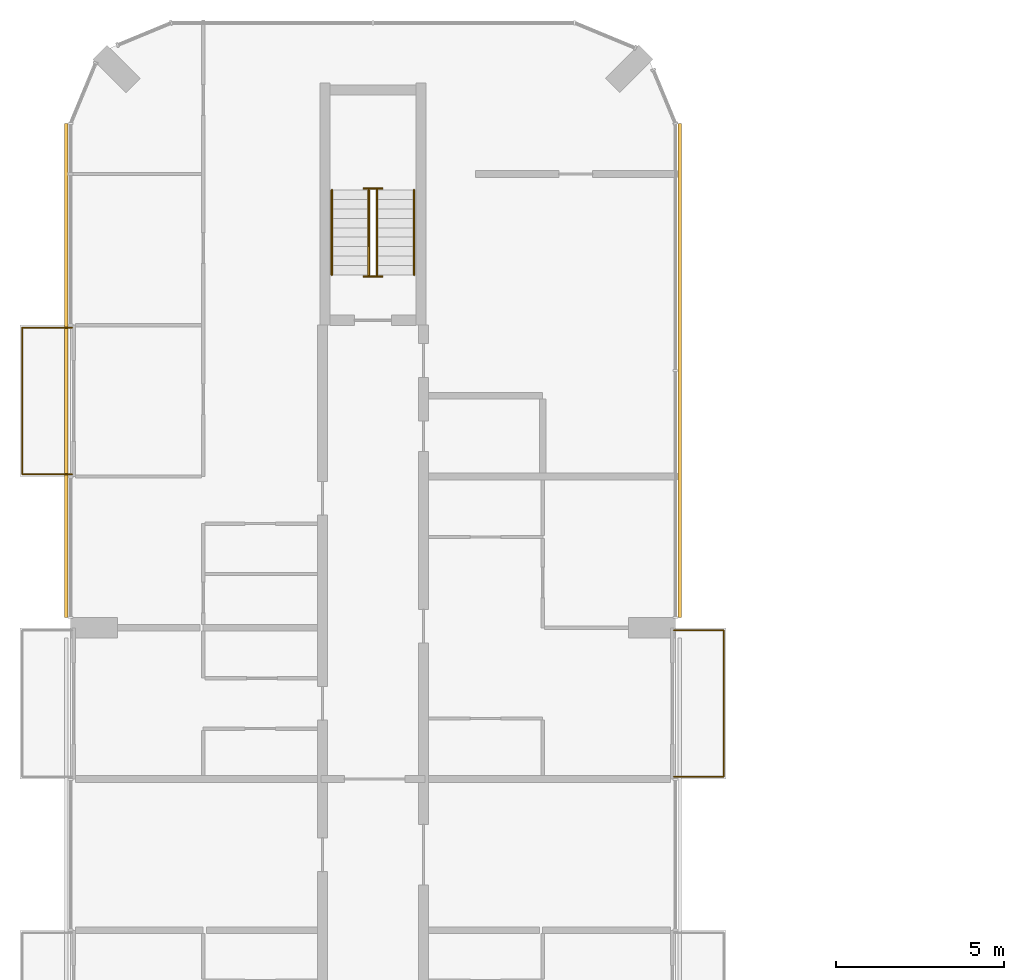
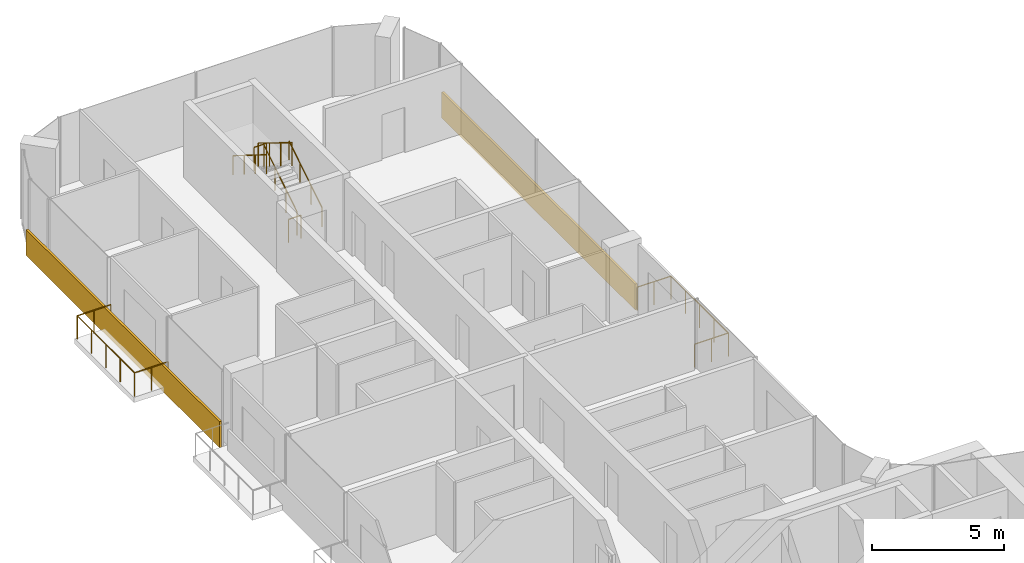
# One storey, part 16 of 16: 8 railings, 2 coverings.
"""IFC4 building model written with IfcOpenShell, lengths in metres."""

from ifc_helpers import new_model, si_unit, direction, frame, origin, origin_2d, place, context, subcontext, project, spatial, rectangle, circle, extrude, material, layer, layer_set, type_object, element, save


model = new_model("IFC4")

# Units and contexts
model_context = context("Model", 3, precision=1e-05, world=origin(), true_north=direction((0.0, 1.0)))
body_context = subcontext(model_context, "Body", "Model", "MODEL_VIEW")
ifc_project = project(units=[si_unit("LENGTHUNIT", "METRE"), si_unit("AREAUNIT", "SQUARE_METRE"), si_unit("VOLUMEUNIT", "CUBIC_METRE"), si_unit("PLANEANGLEUNIT", "RADIAN"), si_unit("MASSUNIT", "GRAM", prefix="KILO")], contexts=[model_context])

# Site, building, storey
site_placement = place(None, origin())
site = spatial("IfcSite", under=ifc_project, at=site_placement, CompositionType="ELEMENT")
building_placement = place(site_placement, origin())
building = spatial("IfcBuilding", under=site, at=building_placement, Name="Plateau Cross Towers", CompositionType="ELEMENT")
storey_placement = place(building_placement, frame((0.0, 0.0, 160.39990234375)))
storey = spatial("IfcBuildingStorey", under=building, at=storey_placement, Name="L41", CompositionType="ELEMENT", Elevation=160.39990234375)

# Railings
ifc_material_1 = material(Name="Stainless steel and toughened glass", Category="steel")
railing_type_1 = type_object("IfcRailingType", Name="Glass balustrade guard 1100", PredefinedType="GUARDRAIL", material=ifc_material_1)
railing_1_placement = place(storey_placement, frame((0.050048828125, 40.570068359375, 0.0)))
element("IfcRailing", 1, at=railing_1_placement, inside=storey, type_object=railing_type_1, Name="Guard guard1", PredefinedType="GUARDRAIL", context=body_context, shape_type="SweptSolid", body=[
    extrude(circle(Radius=0.02392578125, at=origin_2d()), frame((0.0, 0.0, 1.076171875), z_axis=(-1.0, 0.0, 0.0), x_axis=(0.0, -1.0, 0.0)), (0.0, 0.0, 1.0), 1.47998046875),
    extrude(circle(Radius=0.02392578125, at=origin_2d()), frame((-1.47998046875, 0.0, 1.076171875), z_axis=(0.0, 1.0, 0.0), x_axis=(-1.0, 0.0, 0.0)), (0.0, 0.0, 1.0), 4.35986328125),
    extrude(circle(Radius=0.02392578125, at=origin_2d()), frame((-1.47998046875, 4.35986328125, 1.076171875), z_axis=(1.0, 0.0, 0.0), x_axis=(0.0, 1.0, 0.0)), (0.0, 0.0, 1.0), 1.47998046875),
    extrude(circle(Radius=0.02099609375, at=origin_2d()), origin(), (0.0, 0.0, 1.0), 1.052001953125),
    extrude(circle(Radius=0.02099609375, at=origin_2d()), frame((-0.739990234375, 0.0, 0.0)), (0.0, 0.0, 1.0), 1.052001953125),
    extrude(circle(Radius=0.02099609375, at=origin_2d()), frame((-1.47998046875, 0.0, 0.0)), (0.0, 0.0, 1.0), 1.052001953125),
    extrude(circle(Radius=0.02099609375, at=origin_2d()), frame((-1.47998046875, 1.08984375, 0.0)), (0.0, 0.0, 1.0), 1.052001953125),
    extrude(circle(Radius=0.02099609375, at=origin_2d()), frame((-1.47998046875, 2.179931640625, 0.0)), (0.0, 0.0, 1.0), 1.052001953125),
    extrude(circle(Radius=0.02099609375, at=origin_2d()), frame((-1.47998046875, 3.27001953125, 0.0)), (0.0, 0.0, 1.0), 1.052001953125),
    extrude(circle(Radius=0.02099609375, at=origin_2d()), frame((-1.47998046875, 4.35986328125, 0.0)), (0.0, 0.0, 1.0), 1.052001953125),
    extrude(circle(Radius=0.02099609375, at=origin_2d()), frame((-0.739990234375, 4.35986328125, 0.0)), (0.0, 0.0, 1.0), 1.052001953125),
    extrude(circle(Radius=0.02099609375, at=origin_2d()), frame((0.0, 4.35986328125, 0.0)), (0.0, 0.0, 1.0), 1.052001953125),
])
railing_2_placement = place(storey_placement, frame((17.949951171875, 35.929931640625, 0.0)))
element("IfcRailing", 2, at=railing_2_placement, inside=storey, type_object=railing_type_1, Name="Guard guard1", PredefinedType="GUARDRAIL", context=body_context, shape_type="SweptSolid", body=[
    extrude(circle(Radius=0.02392578125, at=origin_2d()), frame((0.0, 0.0, 1.076171875), z_axis=(1.0, 0.0, 0.0), x_axis=(0.0, 1.0, 0.0)), (0.0, 0.0, 1.0), 1.47998046875),
    extrude(circle(Radius=0.02392578125, at=origin_2d()), frame((1.47998046875, 0.0, 1.076171875), z_axis=(0.0, -1.0, 0.0), x_axis=(1.0, 0.0, 0.0)), (0.0, 0.0, 1.0), 4.35986328125),
    extrude(circle(Radius=0.02392578125, at=origin_2d()), frame((1.47998046875, -4.35986328125, 1.076171875), z_axis=(-1.0, 0.0, 0.0), x_axis=(0.0, -1.0, 0.0)), (0.0, 0.0, 1.0), 1.47998046875),
    extrude(circle(Radius=0.02099609375, at=origin_2d()), origin(), (0.0, 0.0, 1.0), 1.052001953125),
    extrude(circle(Radius=0.02099609375, at=origin_2d()), frame((0.739990234375, 0.0, 0.0)), (0.0, 0.0, 1.0), 1.052001953125),
    extrude(circle(Radius=0.02099609375, at=origin_2d()), frame((1.47998046875, 0.0, 0.0)), (0.0, 0.0, 1.0), 1.052001953125),
    extrude(circle(Radius=0.02099609375, at=origin_2d()), frame((1.47998046875, -1.08984375, 0.0)), (0.0, 0.0, 1.0), 1.052001953125),
    extrude(circle(Radius=0.02099609375, at=origin_2d()), frame((1.47998046875, -2.179931640625, 0.0)), (0.0, 0.0, 1.0), 1.052001953125),
    extrude(circle(Radius=0.02099609375, at=origin_2d()), frame((1.47998046875, -3.27001953125, 0.0)), (0.0, 0.0, 1.0), 1.052001953125),
    extrude(circle(Radius=0.02099609375, at=origin_2d()), frame((1.47998046875, -4.35986328125, 0.0)), (0.0, 0.0, 1.0), 1.052001953125),
    extrude(circle(Radius=0.02099609375, at=origin_2d()), frame((0.739990234375, -4.35986328125, 0.0)), (0.0, 0.0, 1.0), 1.052001953125),
    extrude(circle(Radius=0.02099609375, at=origin_2d()), frame((0.0, -4.35986328125, 0.0)), (0.0, 0.0, 1.0), 1.052001953125),
])
railing_type_2 = type_object("IfcRailingType", Name="RL-GUARD-1100", PredefinedType="GUARDRAIL", material=ifc_material_1)
railing_3_placement = place(storey_placement, frame((9.125, 46.5, 0.175048828125)))
element("IfcRailing", 3, at=railing_3_placement, inside=storey, type_object=railing_type_2, Name="L41 ES-N stair guard 1", PredefinedType="GUARDRAIL", context=body_context, shape_type="SweptSolid", body=[
    extrude(circle(Radius=0.02392578125, at=origin_2d()), frame((0.0, 0.0, 1.076171875), z_axis=(0.0, 0.848007534815, 0.529984170421), x_axis=(-1.0, 0.0, 0.0)), (0.0, 0.0, 1.0), 2.9716796875),
    extrude(circle(Radius=0.02099609375, at=origin_2d()), origin(), (0.0, 0.0, 1.0), 1.052001953125),
    extrude(circle(Radius=0.02099609375, at=origin_2d()), frame((0.0, 0.840087890625, 0.52490234375)), (0.0, 0.0, 1.0), 1.052001953125),
    extrude(circle(Radius=0.02099609375, at=origin_2d()), frame((0.0, 1.679931640625, 1.050048828125)), (0.0, 0.0, 1.0), 1.052001953125),
    extrude(circle(Radius=0.02099609375, at=origin_2d()), frame((0.0, 2.52001953125, 1.574951171875)), (0.0, 0.0, 1.0), 1.052001953125),
])
railing_4_placement = place(storey_placement, frame((9.27490234375, 49.070068359375, 1.75)))
element("IfcRailing", 4, at=railing_4_placement, inside=storey, type_object=railing_type_2, Name="L41 ES-N stair guard 2", PredefinedType="GUARDRAIL", context=body_context, shape_type="SweptSolid", body=[
    extrude(circle(Radius=0.02392578125, at=origin_2d()), frame((0.0, 0.0, 1.076171875), z_axis=(-1.0, 0.0, 0.0), x_axis=(0.0, -1.0, 0.0)), (0.0, 0.0, 1.0), 0.5498046875),
    extrude(circle(Radius=0.02099609375, at=origin_2d()), origin(), (0.0, 0.0, 1.0), 1.052001953125),
    extrude(circle(Radius=0.02099609375, at=origin_2d()), frame((-0.5498046875, 0.0, 0.0)), (0.0, 0.0, 1.0), 1.052001953125),
])
railing_5_placement = place(storey_placement, frame((8.875, 49.02001953125, 1.925048828125)))
element("IfcRailing", 5, at=railing_5_placement, inside=storey, type_object=railing_type_2, Name="L41 ES-N stair guard 3", PredefinedType="GUARDRAIL", context=body_context, shape_type="SweptSolid", body=[
    extrude(circle(Radius=0.02392578125, at=origin_2d()), frame((0.0, 0.0, 1.076171875), z_axis=(0.0, -0.852638500773, 0.522501279423), x_axis=(1.0, 0.0, 0.0)), (0.0, 0.0, 1.0), 3.01416015625),
    extrude(circle(Radius=0.02099609375, at=origin_2d()), origin(), (0.0, 0.0, 1.0), 1.052001953125),
    extrude(circle(Radius=0.02099609375, at=origin_2d()), frame((0.0, -0.856689453125, 0.52490234375)), (0.0, 0.0, 1.0), 1.052001953125),
    extrude(circle(Radius=0.02099609375, at=origin_2d()), frame((0.0, -1.71337890625, 1.050048828125)), (0.0, 0.0, 1.0), 1.052001953125),
    extrude(circle(Radius=0.02099609375, at=origin_2d()), frame((0.0, -2.570068359375, 1.574951171875)), (0.0, 0.0, 1.0), 1.052001953125),
])
railing_6_placement = place(storey_placement, frame((9.27490234375, 46.449951171875, 0.0)))
element("IfcRailing", 6, at=railing_6_placement, inside=storey, type_object=railing_type_2, Name="L41 ES-N stair guard 4", PredefinedType="GUARDRAIL", context=body_context, shape_type="SweptSolid", body=[
    extrude(circle(Radius=0.02392578125, at=origin_2d()), frame((0.0, 0.0, 1.076171875), z_axis=(-1.0, 0.0, 0.0), x_axis=(0.0, -1.0, 0.0)), (0.0, 0.0, 1.0), 0.5498046875),
    extrude(circle(Radius=0.02099609375, at=origin_2d()), origin(), (0.0, 0.0, 1.0), 1.052001953125),
    extrude(circle(Radius=0.02099609375, at=origin_2d()), frame((-0.5498046875, 0.0, 0.0)), (0.0, 0.0, 1.0), 1.052001953125),
])
ifc_material_2 = material(Name="Black anodised aluminium", Category="aluminium")
railing_type_3 = type_object("IfcRailingType", Name="RL-HANDRAIL-900", PredefinedType="HANDRAIL", material=ifc_material_2)
railing_7_placement = place(storey_placement, frame((10.22509765625, 46.5, 0.175048828125)))
element("IfcRailing", 7, at=railing_7_placement, inside=storey, type_object=railing_type_3, Name="L41 ES-N stair handrail 1", PredefinedType="HANDRAIL", context=body_context, shape_type="SweptSolid", body=[
    extrude(circle(Radius=0.02392578125, at=origin_2d()), frame((0.0, 0.0, 0.8759765625), z_axis=(0.0, 0.848007534815, 0.529984170421), x_axis=(-1.0, 0.0, 0.0)), (0.0, 0.0, 1.0), 2.9716796875),
    extrude(circle(Radius=0.02099609375, at=origin_2d()), origin(), (0.0, 0.0, 1.0), 0.851806640625),
    extrude(circle(Radius=0.02099609375, at=origin_2d()), frame((0.0, 0.840087890625, 0.52490234375)), (0.0, 0.0, 1.0), 0.851806640625),
    extrude(circle(Radius=0.02099609375, at=origin_2d()), frame((0.0, 1.679931640625, 1.050048828125)), (0.0, 0.0, 1.0), 0.851806640625),
    extrude(circle(Radius=0.02099609375, at=origin_2d()), frame((0.0, 2.52001953125, 1.574951171875)), (0.0, 0.0, 1.0), 0.851806640625),
])
railing_8_placement = place(storey_placement, frame((7.77490234375, 49.02001953125, 1.925048828125)))
element("IfcRailing", 8, at=railing_8_placement, inside=storey, type_object=railing_type_3, Name="L41 ES-N stair handrail 2", PredefinedType="HANDRAIL", context=body_context, shape_type="SweptSolid", body=[
    extrude(circle(Radius=0.02392578125, at=origin_2d()), frame((0.0, 0.0, 0.8759765625), z_axis=(0.0, -0.848007534815, 0.529984170421), x_axis=(1.0, 0.0, 0.0)), (0.0, 0.0, 1.0), 2.9716796875),
    extrude(circle(Radius=0.02099609375, at=origin_2d()), origin(), (0.0, 0.0, 1.0), 0.851806640625),
    extrude(circle(Radius=0.02099609375, at=origin_2d()), frame((0.0, -0.840087890625, 0.52490234375)), (0.0, 0.0, 1.0), 0.851806640625),
    extrude(circle(Radius=0.02099609375, at=origin_2d()), frame((0.0, -1.679931640625, 1.050048828125)), (0.0, 0.0, 1.0), 0.851806640625),
    extrude(circle(Radius=0.02099609375, at=origin_2d()), frame((0.0, -2.52001953125, 1.574951171875)), (0.0, 0.0, 1.0), 0.851806640625),
])

# Coverings
ifc_material_3 = material(Name="Precast concrete cladding C40/50", Category="concrete")
ifc_layer = layer(ifc_material_3, 0.10009765625)
ifc_layer_set = layer_set([ifc_layer], Name="Precast concrete cladding C40/50")
covering_type = type_object("IfcCoveringType", Name="Spandrel band cladding 100x1200", PredefinedType="CLADDING", material=ifc_layer_set)
for number, where, z_axis, x_axis, name in (
    (9, (18.1201171875, 43.64990234375, -0.25), (0.0, 0.0, 1.0), (0.0, 1.0, 0.0), "Spandrel band"),
    (10, (-0.1201171875, 43.64990234375, -0.25), (0.0, 0.0, 1.0), (0.0, -1.0, 0.0), "Spandrel band"),
):
    element("IfcCovering", number, at=place(storey_placement, frame(where, z_axis=z_axis, x_axis=x_axis)), inside=storey, type_object=covering_type, Name=name, PredefinedType="CLADDING", context=body_context, shape_type="SweptSolid", body=[
        extrude(rectangle(XDim=14.699951171875, YDim=0.10009765625, at=origin_2d()), origin(), (0.0, 0.0, 1.0), 1.199951171875),
    ])

save(model, "model.ifc")
